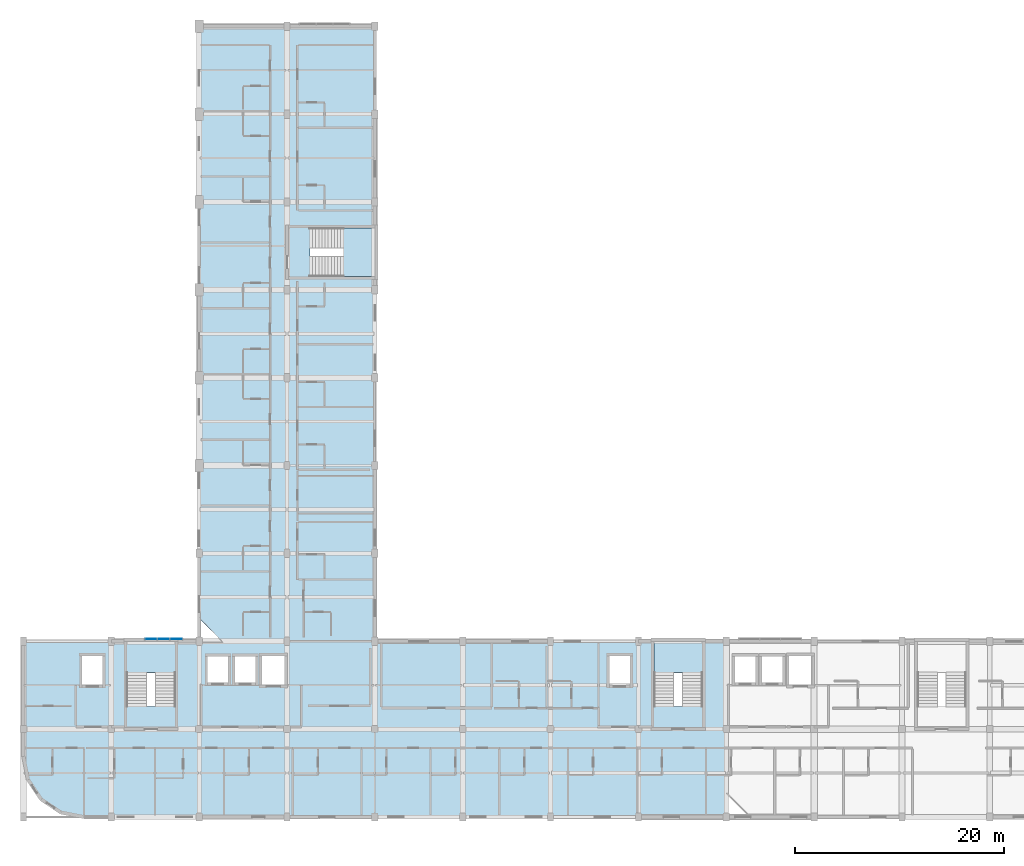
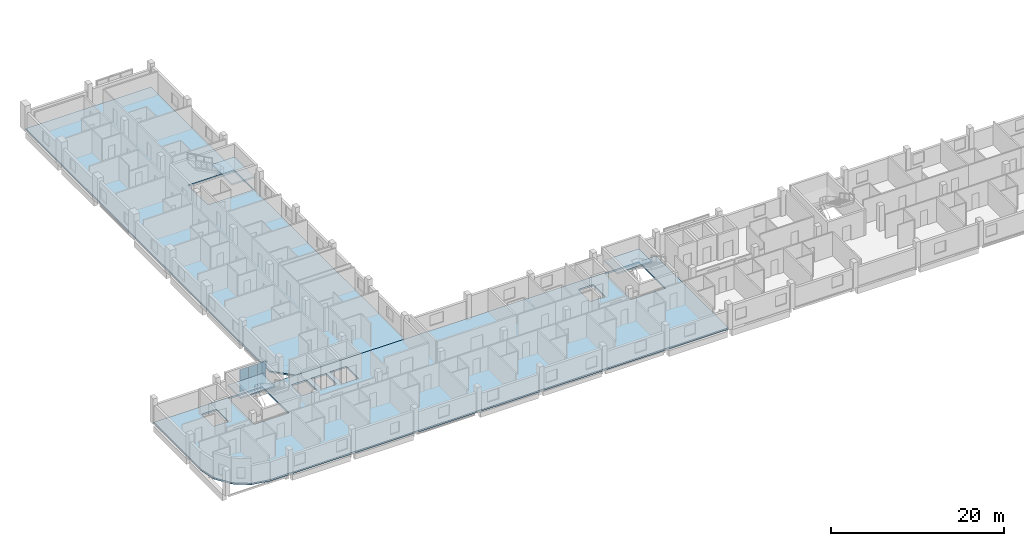
# One storey, part 8 of 26: 6 plates, 5 slabs, 4 elements without a shape of their own.
"""IFC4 building model written with IfcOpenShell, lengths in metres."""

import ifcopenshell
import ifcopenshell.guid

model = None  # the IFC model being written
_history = None  # IfcOwnerHistory: only IFC2X3 demands one
_inside = {}  # id of a spatial element -> (the spatial element, [elements in it])
_under = {}  # id of a project, library or spatial element -> (it, [spatial elements below it])
_declared = {}  # id of a project -> (the project, [libraries it declares])
_typed = {}  # id of a type object -> (the type object, [elements of that type])
_made_of = {}  # id of a material, layer set ... -> (it, [elements and type objects made of it])


def new_model(schema):
    """Start an empty IFC model of exactly this schema.

    Asked for "IFC4X3", IfcOpenShell would pick the latest addendum, in which some entities
    have other attributes; the version numbers below select the first issue.
    IFC2X3 requires an IfcOwnerHistory on every rooted entity: one is made here for all.
    """
    global model, _history
    if schema == "IFC4X3":
        model = ifcopenshell.file(schema_version=(4, 3, 0, 0))
    else:
        model = ifcopenshell.file(schema=schema)
    _inside.clear()
    _under.clear()
    _declared.clear()
    _typed.clear()
    _made_of.clear()
    _history = None
    if model.schema == "IFC2X3":
        org = make("IfcOrganization", Name="unknown")
        user = make(
            "IfcPersonAndOrganization",
            ThePerson=make("IfcPerson", FamilyName="unknown"),
            TheOrganization=org,
        )
        app = make(
            "IfcApplication",
            ApplicationDeveloper=org,
            Version="unknown",
            ApplicationFullName="unknown",
            ApplicationIdentifier="unknown",
        )
        _history = make(
            "IfcOwnerHistory",
            OwningUser=user,
            OwningApplication=app,
            ChangeAction="ADDED",
            CreationDate=0,
        )
    return model


def make(cls, **values):
    """One entity of the class cls with the attributes given. An attribute that is None is left unset."""
    return model.create_entity(
        cls, **{name: value for name, value in values.items() if value is not None}
    )


def rooted(cls, **values):
    """An entity with a GlobalId (a new one), such as an element, a storey or a relation."""
    return make(cls, GlobalId=ifcopenshell.guid.new(), OwnerHistory=_history, **values)


def si_unit(unit_type, name, prefix=None):
    """IfcSIUnit, for example si_unit("LENGTHUNIT", "METRE", prefix="MILLI")."""
    return make("IfcSIUnit", UnitType=unit_type, Prefix=prefix, Name=name)


def derived_unit(unit_type, elements):
    """IfcDerivedUnit: a product of units, each with its exponent."""
    return make(
        "IfcDerivedUnit",
        Elements=[
            make("IfcDerivedUnitElement", Unit=unit, Exponent=power)
            for unit, power in elements
        ],
        UnitType=unit_type,
    )


def assignment(units):
    """IfcUnitAssignment: the units of a project."""
    return None if units is None else make("IfcUnitAssignment", Units=units)


def point(xyz):
    """IfcCartesianPoint."""
    return None if xyz is None else make("IfcCartesianPoint", Coordinates=xyz)


def direction(xyz):
    """IfcDirection."""
    return None if xyz is None else make("IfcDirection", DirectionRatios=xyz)


def frame(location, z_axis=None, x_axis=None):
    """IfcAxis2Placement3D, a coordinate frame: its origin and axes. An axis left out is left unset."""
    return make(
        "IfcAxis2Placement3D",
        Location=point(location),
        Axis=direction(z_axis),
        RefDirection=direction(x_axis),
    )


def frame_2d(location, x_axis=None):
    """IfcAxis2Placement2D, a coordinate frame in the plane: its origin and x axis."""
    return make(
        "IfcAxis2Placement2D", Location=point(location), RefDirection=direction(x_axis)
    )


def origin():
    """The frame at (0, 0, 0) with its axes left unset."""
    return frame((0.0, 0.0, 0.0))


def origin_2d():
    """The frame at (0, 0) in the plane with its x axis left unset."""
    return frame_2d((0.0, 0.0))


def place(relative_to, where):
    """IfcLocalPlacement: puts the frame where relative to a parent placement (None: the world)."""
    return make(
        "IfcLocalPlacement", PlacementRelTo=relative_to, RelativePlacement=where
    )


def context(
    kind, dimensions, precision=None, world=None, true_north=None, identifier=None
):
    """IfcGeometricRepresentationContext, for example the 3D "Model" context."""
    return make(
        "IfcGeometricRepresentationContext",
        ContextIdentifier=identifier,
        ContextType=kind,
        CoordinateSpaceDimension=dimensions,
        Precision=precision,
        WorldCoordinateSystem=world,
        TrueNorth=true_north,
    )


def subcontext(parent, identifier, kind, view, scale=None):
    """IfcGeometricRepresentationSubContext, for example "Body" below "Model"."""
    return make(
        "IfcGeometricRepresentationSubContext",
        ContextIdentifier=identifier,
        ContextType=kind,
        ParentContext=parent,
        TargetScale=scale,
        TargetView=view,
    )


def project(units=None, contexts=None):
    """IfcProject with its units and contexts."""
    return rooted(
        "IfcProject",
        Name="project",
        RepresentationContexts=contexts,
        UnitsInContext=assignment(units),
    )


def spatial(cls, under=None, at=None, **own):
    """A site, building, storey or space (cls), placed at a placement, below another one or the project."""
    s = rooted(cls, ObjectPlacement=at, **own)
    if under is not None:
        _under.setdefault(under.id(), (under, []))[1].append(s)
    return s


def polyline(points):
    """IfcPolyline through the points."""
    return make("IfcPolyline", Points=[point(p) for p in points])


def profile(cls, at=None, kind="AREA", **sizes):
    """A parametric profile (cls). Its sizes go by their IFC names, for example OverallWidth=200.0."""
    return make(cls, ProfileType=kind, Position=at, **sizes)


def rectangle(**sizes):
    """IfcRectangleProfileDef."""
    return profile("IfcRectangleProfileDef", **sizes)


def outline(outer, holes=None, kind="AREA"):
    """IfcArbitraryClosedProfileDef: a profile drawn as a closed curve; with holes, ...WithVoids."""
    if holes is None:
        return make("IfcArbitraryClosedProfileDef", ProfileType=kind, OuterCurve=outer)
    return make(
        "IfcArbitraryProfileDefWithVoids",
        ProfileType=kind,
        OuterCurve=outer,
        InnerCurves=holes,
    )


def extrude(swept, where, along, depth):
    """IfcExtrudedAreaSolid: the profile swept, set in the frame where, extruded along a direction by depth."""
    return make(
        "IfcExtrudedAreaSolid",
        SweptArea=swept,
        Position=where,
        ExtrudedDirection=direction(along),
        Depth=depth,
    )


def shape(context_of_items, identifier, shape_type, items):
    """IfcShapeRepresentation: the items that make up one representation, for example the "Body"."""
    return make(
        "IfcShapeRepresentation",
        ContextOfItems=context_of_items,
        RepresentationIdentifier=identifier,
        RepresentationType=shape_type,
        Items=items,
    )


def material(Name=None, Category=None):
    """IfcMaterial."""
    return make("IfcMaterial", Name=Name, Category=Category)


def layer(
    of_material, thickness, ventilated=None, Name=None, Category=None, Priority=None
):
    """IfcMaterialLayer: one layer of a wall or slab, of a material (None: an air gap)."""
    return make(
        "IfcMaterialLayer",
        Material=of_material,
        LayerThickness=thickness,
        IsVentilated=ventilated,
        Name=Name,
        Category=Category,
        Priority=Priority,
    )


def layer_set(layers, Name=None):
    """IfcMaterialLayerSet."""
    return make("IfcMaterialLayerSet", MaterialLayers=layers, LayerSetName=Name)


def made_of(thing, what):
    """Note that an element or type object is made of a material, layer set ...; save() writes the relation."""
    if what is not None:
        _made_of.setdefault(what.id(), (what, []))[1].append(thing)
    return thing


def type_object(cls, material=None, **own):
    """A type object (cls), such as IfcWallType, which elements share."""
    return made_of(rooted(cls, **own), material)


def element(
    cls,
    number,
    at=None,
    inside=None,
    cuts=None,
    type_object=None,
    material=None,
    context=None,
    identifier="Body",
    shape_type=None,
    held_by="IfcProductDefinitionShape",
    body=None,
    shapes=None,
    **own,
):
    """One element of the class cls, such as IfcWall. Its Tag is "e" and its number.

    at: its placement. inside: the storey or other place that contains it. cuts: it is an
    opening in that element (IfcRelVoidsElement). A single representation is given by context,
    identifier, shape_type and body (its items); several are given by shapes. held_by: the class
    of the entity that holds the representations. save() writes the other relations.
    """
    e = rooted(cls, Tag="e%d" % number, ObjectPlacement=at, **own)
    if body is not None:
        shapes = [shape(context, identifier, shape_type, body)]
    if shapes is not None:
        e.Representation = make(held_by, Representations=shapes)
    if inside is not None:
        _inside.setdefault(inside.id(), (inside, []))[1].append(e)
    if cuts is not None:
        rooted(
            "IfcRelVoidsElement", RelatingBuildingElement=cuts, RelatedOpeningElement=e
        )
    if type_object is not None:
        _typed.setdefault(type_object.id(), (type_object, []))[1].append(e)
    return made_of(e, material)


def aggregate(whole, parts):
    """IfcRelAggregates: a whole, such as a stair, and the parts it consists of."""
    return rooted("IfcRelAggregates", RelatingObject=whole, RelatedObjects=parts)


def save(model, path):
    """Write the relations noted so far, then the file.

    IfcRelAggregates (storeys below a building ...), IfcRelContainedInSpatialStructure (elements
    in a storey), IfcRelDefinesByType, IfcRelAssociatesMaterial and IfcRelDeclares: one each for
    every whole, place, type object, material and project.
    """
    for whole, parts in _under.values():
        aggregate(whole, parts)
    for where, things in _inside.values():
        rooted(
            "IfcRelContainedInSpatialStructure",
            RelatedElements=things,
            RelatingStructure=where,
        )
    for kind, things in _typed.values():
        rooted("IfcRelDefinesByType", RelatedObjects=things, RelatingType=kind)
    for what, things in _made_of.values():
        rooted("IfcRelAssociatesMaterial", RelatedObjects=things, RelatingMaterial=what)
    for by, libraries in _declared.values():
        rooted("IfcRelDeclares", RelatingContext=by, RelatedDefinitions=libraries)
    model.write(path)


model = new_model("IFC4")

# Units and contexts
model_context = context("Model", 3, precision=1e-05, world=origin(), true_north=direction((0.0, 1.0)))
body_context = subcontext(model_context, "Body", "Model", "MODEL_VIEW")
ifc_project = project(units=[si_unit("LENGTHUNIT", "METRE"), si_unit("AREAUNIT", "SQUARE_METRE"), si_unit("VOLUMEUNIT", "CUBIC_METRE"), si_unit("PLANEANGLEUNIT", "RADIAN"), si_unit("MASSUNIT", "GRAM", prefix="KILO"), derived_unit("THERMALTRANSMITTANCEUNIT", [(si_unit("POWERUNIT", "WATT"), 1), (si_unit("LENGTHUNIT", "METRE"), -2), (si_unit("THERMODYNAMICTEMPERATUREUNIT", "KELVIN"), -1)])], contexts=[model_context])

# Site, building, storey
site_placement = place(None, origin())
site = spatial("IfcSite", under=ifc_project, at=site_placement, CompositionType="ELEMENT")
building_placement = place(site_placement, origin())
building = spatial("IfcBuilding", under=site, at=building_placement, Name="Barrovel Congress Hotel", CompositionType="ELEMENT")
storey_placement = place(building_placement, frame((0.0, 0.0, 21.89990234375)))
storey = spatial("IfcBuildingStorey", under=building, at=storey_placement, Name="L05", CompositionType="ELEMENT", Elevation=21.89990234375)

# Curtain wall, plates
ifc_material_1 = material(Name="Anodised Aluminium Alloy 6063-T6", Category="aluminium")
curtain_wall_type = type_object("IfcCurtainWallType", Name="CW-UN-3600x3200", PredefinedType="USERDEFINED", material=ifc_material_1)
curtain_wall_placement = place(storey_placement, origin())
curtain_wall = element("IfcCurtainWall", 1, at=curtain_wall_placement, inside=storey, type_object=curtain_wall_type, Name="CW:L05:UN-3", ObjectType="UNITISED CURTAIN WALL", PredefinedType="USERDEFINED")
ifc_material_2 = material(Name="Double Low-E Insulated Glazing", Category="glass")
ifc_layer_1 = layer(ifc_material_2, 0.031982421875)
ifc_layer_set_1 = layer_set([ifc_layer_1], Name="Double Low-E Insulated Glazing")
plate_type = type_object("IfcPlateType", Name="CWP-32", PredefinedType="CURTAIN_PANEL", material=ifc_layer_set_1)
plate_1_placement = place(storey_placement, frame((29.0, 21.219970703125, 0.030029296875), z_axis=(0.0, 0.0, 1.0), x_axis=(1.0, 0.0, 0.0)))
plate_1 = element("IfcPlate", 2, at=plate_1_placement, type_object=plate_type, Name="CW:L05:UN-3:P0-0", PredefinedType="CURTAIN_PANEL", context=body_context, shape_type="SweptSolid", body=[
    extrude(rectangle(XDim=1.139892578125, YDim=0.031982421875, at=origin_2d()), origin(), (0.0, 0.0, 1.0), 1.56494140625),
])
plate_2_placement = place(storey_placement, frame((29.0, 21.219970703125, 1.655029296875), z_axis=(0.0, 0.0, 1.0), x_axis=(1.0, 0.0, 0.0)))
plate_2 = element("IfcPlate", 3, at=plate_2_placement, type_object=plate_type, Name="CW:L05:UN-3:P0-1", PredefinedType="CURTAIN_PANEL", context=body_context, shape_type="SweptSolid", body=[
    extrude(rectangle(XDim=1.139892578125, YDim=0.031982421875, at=origin_2d()), origin(), (0.0, 0.0, 1.0), 1.56494140625),
])
plate_3_placement = place(storey_placement, frame((30.199951171875, 21.219970703125, 0.030029296875), z_axis=(0.0, 0.0, 1.0), x_axis=(1.0, 0.0, 0.0)))
plate_3 = element("IfcPlate", 4, at=plate_3_placement, type_object=plate_type, Name="CW:L05:UN-3:P1-0", PredefinedType="CURTAIN_PANEL", context=body_context, shape_type="SweptSolid", body=[
    extrude(rectangle(XDim=1.139892578125, YDim=0.031982421875, at=origin_2d()), origin(), (0.0, 0.0, 1.0), 1.56494140625),
])
plate_4_placement = place(storey_placement, frame((30.199951171875, 21.219970703125, 1.655029296875), z_axis=(0.0, 0.0, 1.0), x_axis=(1.0, 0.0, 0.0)))
plate_4 = element("IfcPlate", 5, at=plate_4_placement, type_object=plate_type, Name="CW:L05:UN-3:P1-1", PredefinedType="CURTAIN_PANEL", context=body_context, shape_type="SweptSolid", body=[
    extrude(rectangle(XDim=1.139892578125, YDim=0.031982421875, at=origin_2d()), origin(), (0.0, 0.0, 1.0), 1.56494140625),
])
plate_5_placement = place(storey_placement, frame((31.39990234375, 21.219970703125, 0.030029296875), z_axis=(0.0, 0.0, 1.0), x_axis=(1.0, 0.0, 0.0)))
plate_5 = element("IfcPlate", 6, at=plate_5_placement, type_object=plate_type, Name="CW:L05:UN-3:P2-0", PredefinedType="CURTAIN_PANEL", context=body_context, shape_type="SweptSolid", body=[
    extrude(rectangle(XDim=1.139892578125, YDim=0.031982421875, at=origin_2d()), origin(), (0.0, 0.0, 1.0), 1.56494140625),
])
plate_6_placement = place(storey_placement, frame((31.39990234375, 21.219970703125, 1.655029296875), z_axis=(0.0, 0.0, 1.0), x_axis=(1.0, 0.0, 0.0)))
plate_6 = element("IfcPlate", 7, at=plate_6_placement, type_object=plate_type, Name="CW:L05:UN-3:P2-1", PredefinedType="CURTAIN_PANEL", context=body_context, shape_type="SweptSolid", body=[
    extrude(rectangle(XDim=1.139892578125, YDim=0.031982421875, at=origin_2d()), origin(), (0.0, 0.0, 1.0), 1.56494140625),
])
aggregate(curtain_wall, [plate_1, plate_2, plate_3, plate_4, plate_5, plate_6])

# Slabs
ifc_material_3 = material(Name="Concrete C35", Category="concrete")
ifc_layer_2 = layer(ifc_material_3, 0.219970703125)
ifc_layer_set_2 = layer_set([ifc_layer_2], Name="Concrete C35")
slab_type_1 = type_object("IfcSlabType", Name="SL-F220", PredefinedType="FLOOR", material=ifc_layer_set_2)
slab_1_placement = place(storey_placement, frame((0.0, 0.0, -0.219970703125)))
element("IfcSlab", 8, at=slab_1_placement, inside=storey, type_object=slab_type_1, Name="SLAB:L05:HOT-S1", PredefinedType="FLOOR", context=body_context, shape_type="SweptSolid", body=[
    extrude(outline(polyline([(16.800048828125, 10.0), (17.241455078125, 7.780517578125), (18.498779296875, 5.898681640625), (20.38037109375, 4.6416015625), (22.60009765625, 4.199951171875), (84.0, 4.199951171875), (84.0, 21.0), (16.800048828125, 21.0), (16.800048828125, 10.0)]), holes=[polyline([(26.699951171875, 14.780029296875), (26.699951171875, 20.919921875), (31.300048828125, 20.919921875), (31.300048828125, 14.780029296875), (26.699951171875, 14.780029296875)]), polyline([(77.10009765625, 14.780029296875), (77.10009765625, 20.919921875), (81.699951171875, 20.919921875), (81.699951171875, 14.780029296875), (77.10009765625, 14.780029296875)]), polyline([(22.39990234375, 16.800048828125), (22.39990234375, 19.60009765625), (24.39990234375, 19.60009765625), (24.39990234375, 16.800048828125), (22.39990234375, 16.800048828125)]), polyline([(72.800048828125, 16.800048828125), (72.800048828125, 19.60009765625), (74.800048828125, 19.60009765625), (74.800048828125, 16.800048828125), (72.800048828125, 16.800048828125)]), polyline([(34.39990234375, 17.050048828125), (34.39990234375, 19.550048828125), (36.39990234375, 19.550048828125), (36.39990234375, 17.050048828125), (34.39990234375, 17.050048828125)]), polyline([(37.0, 17.050048828125), (37.0, 19.550048828125), (39.0, 19.550048828125), (39.0, 17.050048828125), (37.0, 17.050048828125)]), polyline([(39.60009765625, 16.800048828125), (39.60009765625, 19.60009765625), (41.800048828125, 19.60009765625), (41.800048828125, 16.800048828125), (39.60009765625, 16.800048828125)])]), origin(), (0.0, 0.0, 1.0), 0.219970703125),
])
slab_2_placement = place(storey_placement, frame((0.0, 0.0, -0.219970703125)))
element("IfcSlab", 9, at=slab_2_placement, inside=storey, type_object=slab_type_1, Name="SLAB:L05:HOT-W1", PredefinedType="FLOOR", context=body_context, shape_type="SweptSolid", body=[
    extrude(outline(polyline([(35.800048828125, 21.0), (50.39990234375, 21.0), (50.39990234375, 79.800048828125), (33.60009765625, 79.800048828125), (33.60009765625, 23.199951171875), (35.800048828125, 21.0)]), holes=[polyline([(44.179931640625, 55.89990234375), (44.179931640625, 60.5), (50.320068359375, 60.5), (50.320068359375, 55.89990234375), (44.179931640625, 55.89990234375)])]), origin(), (0.0, 0.0, 1.0), 0.219970703125),
])

# Stair, slab
ifc_material_4 = material(Name="Concrete C40", Category="concrete")
stair_type_1 = type_object("IfcStairType", Name="STR-HT-360", PredefinedType="HALF_TURN_STAIR", material=ifc_material_4)
stair_1_placement = place(storey_placement, origin())
stair_1 = element("IfcStair", 10, at=stair_1_placement, inside=storey, type_object=stair_type_1, Name="Exit Stair XS-01 (L05)", PredefinedType="HALF_TURN_STAIR")
ifc_layer_3 = layer(ifc_material_4, 0.18994140625)
ifc_layer_set_3 = layer_set([ifc_layer_3], Name="Concrete C40")
slab_type_2 = type_object("IfcSlabType", Name="SL-LDG-190", PredefinedType="LANDING", material=ifc_layer_set_3)
slab_3_placement = place(storey_placement, frame((0.0, 0.0, 1.610107421875)))
slab_3 = element("IfcSlab", 11, at=slab_3_placement, type_object=slab_type_2, Name="STAIR:XS-01:L05:LDG", PredefinedType="LANDING", context=body_context, shape_type="SweptSolid", body=[
    extrude(outline(polyline([(26.679931640625, 18.010009765625), (31.320068359375, 18.010009765625), (31.320068359375, 21.02001953125), (26.679931640625, 21.02001953125), (26.679931640625, 18.010009765625)])), origin(), (0.0, 0.0, 1.0), 0.18994140625),
])
aggregate(stair_1, [slab_3])

stair_2_placement = place(storey_placement, origin())
stair_2 = element("IfcStair", 12, at=stair_2_placement, inside=storey, type_object=stair_type_1, Name="Exit Stair XS-02 (L05)", PredefinedType="HALF_TURN_STAIR")
ifc_layer_4 = layer(ifc_material_4, 0.2099609375)
ifc_layer_set_4 = layer_set([ifc_layer_4], Name="Concrete C40")
slab_type_3 = type_object("IfcSlabType", Name="SL-LDG-210", PredefinedType="LANDING", material=ifc_layer_set_4)
slab_4_placement = place(storey_placement, frame((0.0, 0.0, 1.590087890625)))
slab_4 = element("IfcSlab", 13, at=slab_4_placement, type_object=slab_type_3, Name="STAIR:XS-02:L05:LDG", PredefinedType="LANDING", context=body_context, shape_type="SweptSolid", body=[
    extrude(outline(polyline([(77.080078125, 18.010009765625), (81.719970703125, 18.010009765625), (81.719970703125, 21.02001953125), (77.080078125, 21.02001953125), (77.080078125, 18.010009765625)])), origin(), (0.0, 0.0, 1.0), 0.2099609375),
])
aggregate(stair_2, [slab_4])

stair_type_2 = type_object("IfcStairType", Name="STR-DR-360", PredefinedType="DOUBLE_RETURN_STAIR", material=ifc_material_4)
stair_3_placement = place(storey_placement, origin())
stair_3 = element("IfcStair", 14, at=stair_3_placement, inside=storey, type_object=stair_type_2, Name="Exit Stair XS-05 (L05)", PredefinedType="DOUBLE_RETURN_STAIR")
slab_5_placement = place(storey_placement, frame((0.0, 0.0, 1.590087890625)))
slab_5 = element("IfcSlab", 15, at=slab_5_placement, type_object=slab_type_3, Name="STAIR:XS-05:L05:LDG", PredefinedType="LANDING", context=body_context, shape_type="SweptSolid", body=[
    extrude(outline(polyline([(47.409912109375, 55.8798828125), (50.419921875, 55.8798828125), (50.419921875, 60.52001953125), (47.409912109375, 60.52001953125), (47.409912109375, 55.8798828125)])), origin(), (0.0, 0.0, 1.0), 0.2099609375),
])
aggregate(stair_3, [slab_5])

save(model, "model.ifc")
